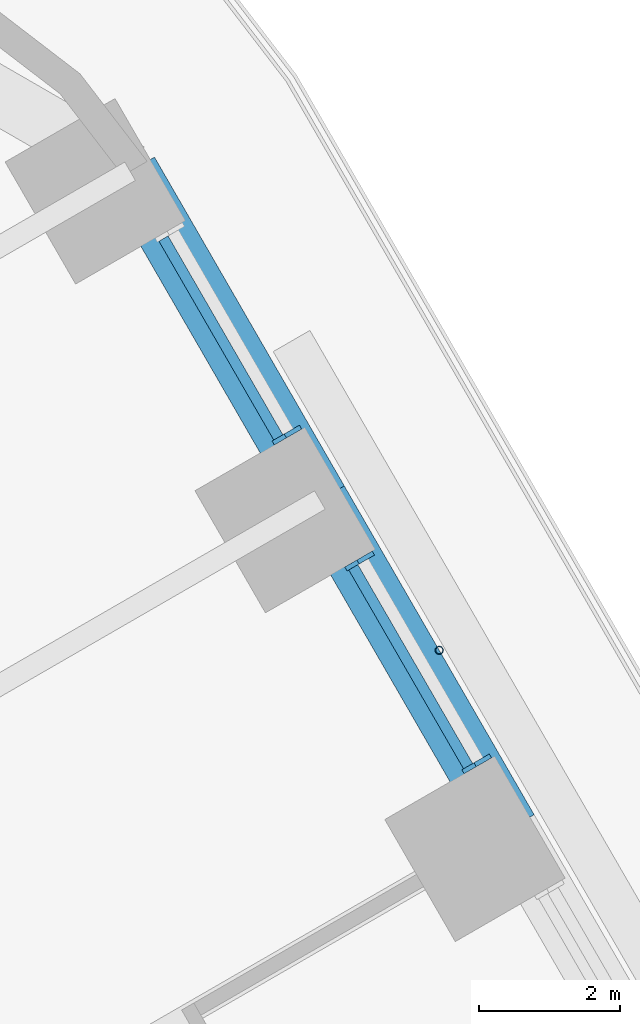
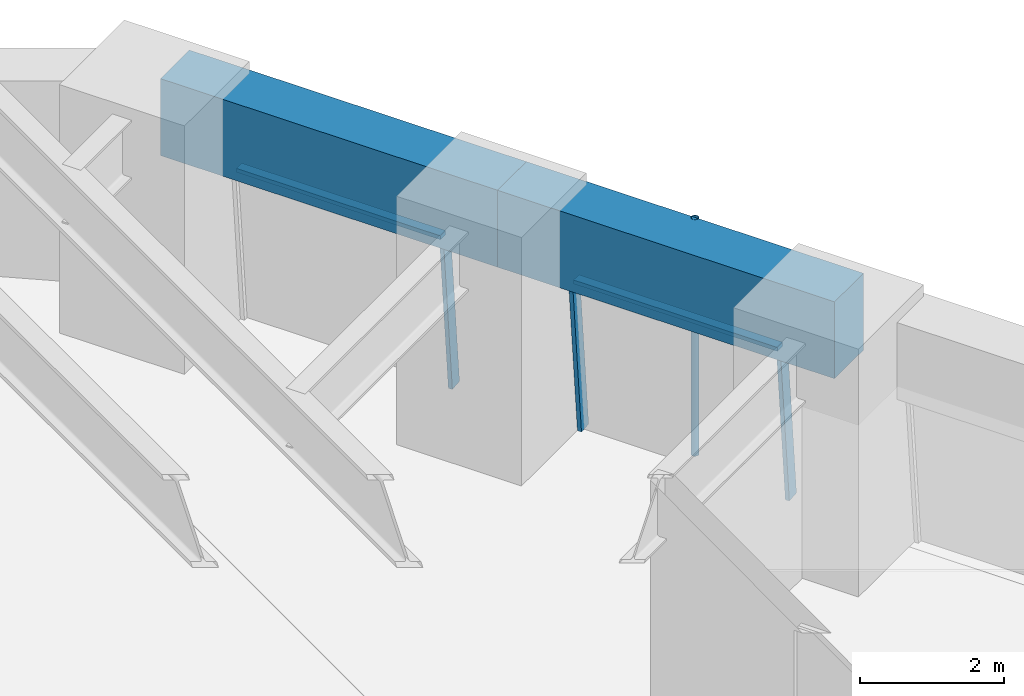
# One storey, part 11 of 23: 6 members, 2 beams, 2 elements without a shape of their own.
"""IFC4 building model written with IfcOpenShell, lengths in metres."""

from ifc_helpers import new_model, si_unit, direction, frame, origin, origin_2d, place, context, subcontext, project, spatial, rectangle, hollow_circle, extrude, material, material_profile, profile_set, type_object, element, aggregate, save


model = new_model("IFC4")

# Units and contexts
model_context = context("Model", 3, precision=1e-05, world=origin(), true_north=direction((0.0, 1.0)))
body_context = subcontext(model_context, "Body", "Model", "MODEL_VIEW")
ifc_project = project(units=[si_unit("LENGTHUNIT", "METRE"), si_unit("AREAUNIT", "SQUARE_METRE"), si_unit("VOLUMEUNIT", "CUBIC_METRE"), si_unit("PLANEANGLEUNIT", "RADIAN"), si_unit("MASSUNIT", "GRAM", prefix="KILO")], contexts=[model_context])

# Site, building, storey
site_placement = place(None, origin())
site = spatial("IfcSite", under=ifc_project, at=site_placement, CompositionType="ELEMENT")
building_placement = place(site_placement, origin())
building = spatial("IfcBuilding", under=site, at=building_placement, Name="Tarfa Lantern Tower", CompositionType="ELEMENT")
storey_placement = place(building_placement, frame((0.0, 0.0, 44.5)))
storey = spatial("IfcBuildingStorey", under=building, at=storey_placement, Name="L09", CompositionType="ELEMENT", Elevation=44.5)

# Curtain wall, members
ifc_material_1 = material(Name="Aluminium framed curtain wall", Category="aluminium")
curtain_wall_type = type_object("IfcCurtainWallType", Name="CW1 CANTED GLAZING LOW ZONE 2700", PredefinedType="USERDEFINED", material=ifc_material_1)
curtain_wall_1_placement = place(storey_placement, origin())
curtain_wall_1 = element("IfcCurtainWall", 1, at=curtain_wall_1_placement, inside=storey, type_object=curtain_wall_type, Name="CW1 NE L09", ObjectType="CURTAIN WALL", PredefinedType="USERDEFINED")
ifc_material_2 = material(Name="Aluminium mullion", Category="aluminium")
ifc_material_profile_1 = material_profile(ifc_material_2, rectangle(XDim=0.06494140625, YDim=0.199951171875, at=origin_2d()), Name="AL MULLION 65x200")
ifc_profile_set_1 = profile_set([ifc_material_profile_1], Name="Aluminium mullion")
member_type_1 = type_object("IfcMemberType", Name="CWM1 MULLION 65x200", PredefinedType="MULLION", material=ifc_profile_set_1)
member_1_placement = place(storey_placement, frame((26.147705078125, 22.5107421875, 0.0), z_axis=(-0.07986442134, -0.046099868913, 0.99573916077), x_axis=(0.499919672301, -0.866071776036, 0.0)))
member_1 = element("IfcMember", 2, at=member_1_placement, type_object=member_type_1, Name="CW1 mullion 1", PredefinedType="MULLION", context=body_context, shape_type="SweptSolid", body=[
    extrude(rectangle(XDim=0.06494140625, YDim=0.199951171875, at=origin_2d()), origin(), (0.0, 0.0, 1.0), 2.71142578125),
])
member_2_placement = place(storey_placement, frame((24.48583984375, 25.38916015625, 0.0), z_axis=(-0.07986442134, -0.046099868913, 0.99573916077), x_axis=(0.499919672301, -0.866071776036, 0.0)))
member_2 = element("IfcMember", 3, at=member_2_placement, type_object=member_type_1, Name="CW1 mullion 2", PredefinedType="MULLION", context=body_context, shape_type="SweptSolid", body=[
    extrude(rectangle(XDim=0.06494140625, YDim=0.199951171875, at=origin_2d()), origin(), (0.0, 0.0, 1.0), 2.71142578125),
])

# Curtain wall, member
curtain_wall_2_placement = place(storey_placement, origin())
curtain_wall_2 = element("IfcCurtainWall", 4, at=curtain_wall_2_placement, inside=storey, type_object=curtain_wall_type, Name="CW1 NE L09", ObjectType="CURTAIN WALL", PredefinedType="USERDEFINED")
member_3_placement = place(storey_placement, frame((23.453369140625, 27.177490234375, 0.0), z_axis=(-0.07986442134, -0.046099868913, 0.99573916077), x_axis=(0.499919672301, -0.866071776036, 0.0)))
member_3 = element("IfcMember", 5, at=member_3_placement, type_object=member_type_1, Name="CW1 mullion 1", PredefinedType="MULLION", context=body_context, shape_type="SweptSolid", body=[
    extrude(rectangle(XDim=0.06494140625, YDim=0.199951171875, at=origin_2d()), origin(), (0.0, 0.0, 1.0), 2.71142578125),
])

# Member
ifc_material_3 = material(Name="Aluminium transom", Category="aluminium")
ifc_material_profile_2 = material_profile(ifc_material_3, rectangle(XDim=0.14990234375, YDim=0.06494140625, at=origin_2d()), Name="AL TRANSOM 150x65")
ifc_profile_set_2 = profile_set([ifc_material_profile_2], Name="Aluminium transom")
member_type_2 = type_object("IfcMemberType", Name="CWT1 TRANSOM 150x65", PredefinedType="USERDEFINED", material=ifc_profile_set_2)
member_4_placement = place(storey_placement, frame((25.91748046875, 22.41552734375, 2.66748046875), z_axis=(-0.499966746847, 0.86604460165, 0.0), x_axis=(-0.86604460165, -0.499966746847, 0.0)))
member_4 = element("IfcMember", 6, at=member_4_placement, type_object=member_type_2, Name="CW1 transom 1.2", ObjectType="TRANSOM", PredefinedType="USERDEFINED", context=body_context, shape_type="SweptSolid", body=[
    extrude(rectangle(XDim=0.14990234375, YDim=0.06494140625, at=origin_2d()), origin(), (0.0, 0.0, 1.0), 3.258544921875),
])

aggregate(curtain_wall_1, [member_1, member_2, member_4])

member_5_placement = place(storey_placement, frame((23.22314453125, 27.082275390625, 2.66748046875), z_axis=(-0.499966746847, 0.86604460165, 0.0), x_axis=(-0.86604460165, -0.499966746847, 0.0)))
member_5 = element("IfcMember", 7, at=member_5_placement, type_object=member_type_2, Name="CW1 transom 1.2", ObjectType="TRANSOM", PredefinedType="USERDEFINED", context=body_context, shape_type="SweptSolid", body=[
    extrude(rectangle(XDim=0.14990234375, YDim=0.06494140625, at=origin_2d()), origin(), (0.0, 0.0, 1.0), 3.258544921875),
])

aggregate(curtain_wall_2, [member_3, member_5])

# Beams
ifc_material_4 = material(Name="Concrete C80/95", Category="concrete")
ifc_material_profile_3 = material_profile(ifc_material_4, rectangle(XDim=0.800048828125, YDim=1.300048828125, at=origin_2d()), Name="RC 800x1300")
ifc_profile_set_3 = profile_set([ifc_material_profile_3], Name="Concrete C80/95")
beam_type = type_object("IfcBeamType", Name="EB1 RC 800x1300", PredefinedType="SPANDREL", material=ifc_profile_set_3)
for number, where, z_axis, x_axis, name in (
    (8, (26.508056640625, 21.526611328125, 3.35009765625), (-0.499998287579, 0.866026392449, 0.0), (-0.866026392449, -0.499998287579, 0.0), "Edge beam NE4"),
    (9, (23.813720703125, 26.193359375, 3.35009765625), (-0.499998287579, 0.866026392449, 0.0), (-0.866026392449, -0.499998287579, 0.0), "Edge beam NE5"),
):
    element("IfcBeam", number, at=place(storey_placement, frame(where, z_axis=z_axis, x_axis=x_axis)), inside=storey, type_object=beam_type, Name=name, PredefinedType="SPANDREL", context=body_context, shape_type="SweptSolid", body=[
        extrude(rectangle(XDim=0.800048828125, YDim=1.300048828125, at=origin_2d()), origin(), (0.0, 0.0, 1.0), 5.388671875),
    ])

# Member
ifc_material_5 = material(Name="Steel S355", Category="steel")
ifc_material_profile_4 = material_profile(ifc_material_5, hollow_circle(Radius=0.05712890625, WallThickness=0.00634765625, at=origin_2d()), Name="CHS114.3x6.3")
ifc_profile_set_4 = profile_set([ifc_material_profile_4], Name="Steel S355")
member_type_3 = type_object("IfcMemberType", Name="TR1 GREEN WALL TRELLIS CHS114.3x6.3", PredefinedType="USERDEFINED", material=ifc_profile_set_4)
member_6_placement = place(storey_placement, frame((25.50732421875, 24.06005859375, 0.0), z_axis=(0.0, 0.0, 1.0), x_axis=(1.0, 0.0, 0.0)))
element("IfcMember", 10, at=member_6_placement, inside=storey, type_object=member_type_3, Name="Trellis post NE 2", ObjectType="TRELLIS", PredefinedType="USERDEFINED", context=body_context, shape_type="SweptSolid", body=[
    extrude(hollow_circle(Radius=0.05712890625, WallThickness=0.00634765625, at=origin_2d()), origin(), (0.0, 0.0, 1.0), 4.0),
])

save(model, "model.ifc")
